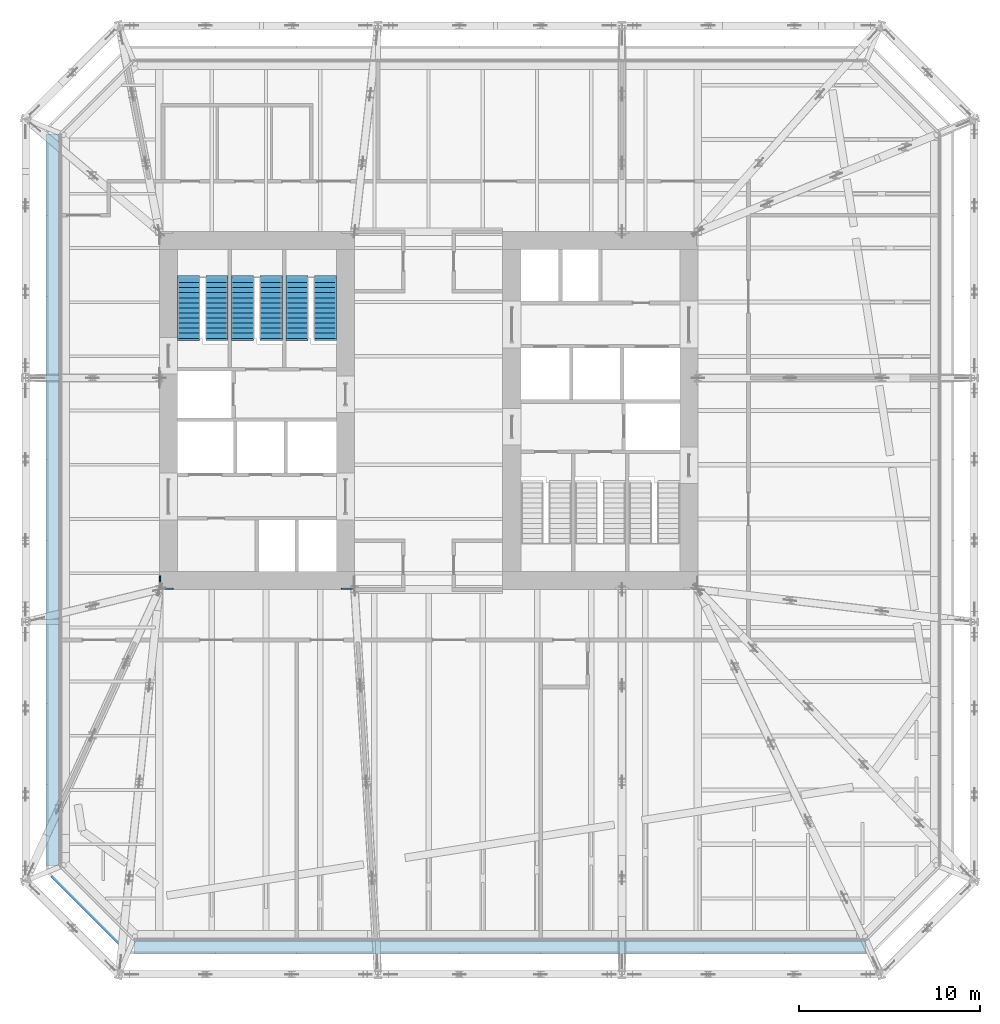
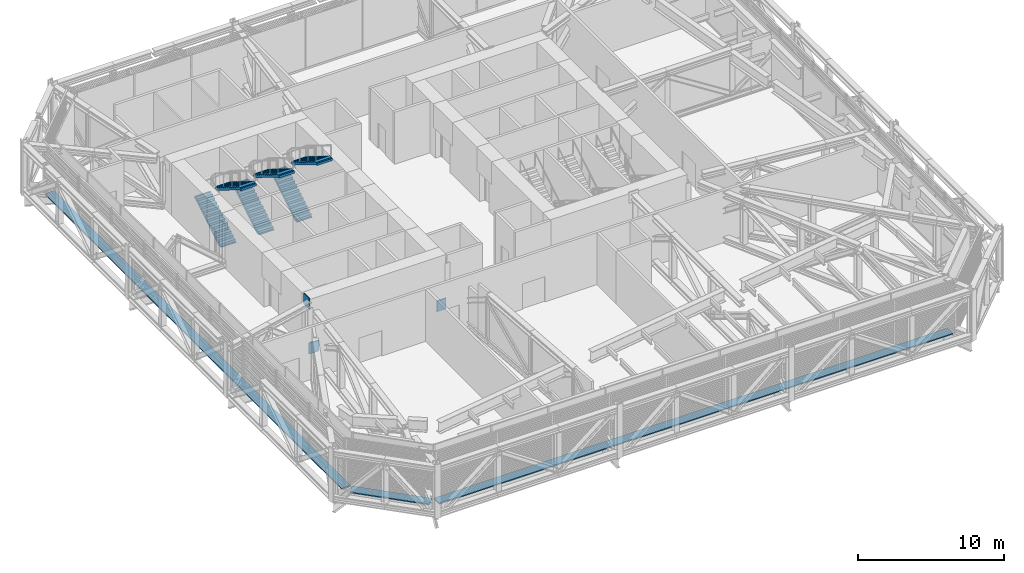
# One storey, part 24 of 31: 6 discrete accessories, 6 stair flights, 3 elements without a shape of their own.
"""IFC4 building model written with IfcOpenShell, lengths in metres."""

from ifc_helpers import new_model, si_unit, direction, frame, origin, origin_2d, place, context, subcontext, project, spatial, polyline, rectangle, outline, extrude, material, layer, layer_set, type_object, element, aggregate, save


model = new_model("IFC4")

# Units and contexts
model_context = context("Model", 3, precision=1e-05, world=origin(), true_north=direction((0.0, 1.0)))
body_context = subcontext(model_context, "Body", "Model", "MODEL_VIEW")
ifc_project = project(units=[si_unit("LENGTHUNIT", "METRE"), si_unit("AREAUNIT", "SQUARE_METRE"), si_unit("VOLUMEUNIT", "CUBIC_METRE"), si_unit("PLANEANGLEUNIT", "RADIAN"), si_unit("MASSUNIT", "GRAM", prefix="KILO")], contexts=[model_context])

# Site, building, storey
site_placement = place(None, origin())
site = spatial("IfcSite", under=ifc_project, at=site_placement, CompositionType="ELEMENT")
building_placement = place(site_placement, origin())
building = spatial("IfcBuilding", under=site, at=building_placement, Name="Millrace Tower", CompositionType="ELEMENT")
storey_placement = place(building_placement, frame((0.0, 0.0, 120.39990234375)))
storey = spatial("IfcBuildingStorey", under=building, at=storey_placement, Name="L26", CompositionType="ELEMENT", Elevation=120.39990234375)

# Stair, stair flights
ifc_material_1 = material(Name="Concrete C35", Category="concrete")
stair_type = type_object("IfcStairType", Name="Exit stair", PredefinedType="HALF_TURN_STAIR", material=ifc_material_1)
placement = place(storey_placement, origin())
stair_1 = element("IfcStair", 1, at=placement, inside=storey, type_object=stair_type, Name="Stair 1 W L26", PredefinedType="HALF_TURN_STAIR")
ifc_material_2 = material(Name="Concrete C35", Category="concrete")
stair_flight_type = type_object("IfcStairFlightType", Name="Exit stair flight", PredefinedType="STRAIGHT", material=ifc_material_2)
stair_flight_1_placement = place(storey_placement, frame((-13.2900390625, 4.0, 0.0), z_axis=(0.0, 0.0, 1.0), x_axis=(0.0, 1.0, 0.0)))
stair_flight_1 = element("IfcStairFlight", 2, at=stair_flight_1_placement, type_object=stair_flight_type, Name="ST12 flight 1", NumberOfRisers=13, NumberOfTreads=12, PredefinedType="STRAIGHT", RiserHeight=0.173076923, TreadLength=0.28, context=body_context, shape_type="SweptSolid", body=[
    extrude(outline(polyline([(-0.1201171875, -0.0400390625), (-0.1201171875, 0.0), (0.0, 0.0), (0.0, 0.173095703125), (0.280029296875, 0.173095703125), (0.280029296875, 0.34619140625), (0.56005859375, 0.34619140625), (0.56005859375, 0.519287109375), (0.840087890625, 0.519287109375), (0.840087890625, 0.6923828125), (1.1201171875, 0.6923828125), (1.1201171875, 0.865478515625), (1.39990234375, 0.865478515625), (1.39990234375, 1.03857421875), (1.679931640625, 1.03857421875), (1.679931640625, 1.21142578125), (1.9599609375, 1.21142578125), (1.9599609375, 1.384521484375), (2.239990234375, 1.384521484375), (2.239990234375, 1.5576171875), (2.52001953125, 1.5576171875), (2.52001953125, 1.730712890625), (2.800048828125, 1.730712890625), (2.800048828125, 1.90380859375), (3.080078125, 1.90380859375), (3.080078125, 2.076904296875), (3.360107421875, 2.076904296875), (3.360107421875, 2.096923828125), (3.47998046875, 2.096923828125), (3.47998046875, 1.900634765625), (3.360107421875, 1.900634765625), (0.28515625, 0.0), (0.28515625, -0.0400390625), (-0.1201171875, -0.0400390625)])), frame((0.0, 0.60986328125, 0.0), z_axis=(0.0, -1.0, 0.0), x_axis=(1.0, 0.0, 0.0)), (0.0, 0.0, 1.0), 1.219970703125),
])
stair_flight_2_placement = place(storey_placement, frame((-11.7099609375, 7.360107421875, 2.25), z_axis=(0.0, 0.0, 1.0), x_axis=(0.0, -1.0, 0.0)))
stair_flight_2 = element("IfcStairFlight", 3, at=stair_flight_2_placement, type_object=stair_flight_type, Name="ST12 flight 2", NumberOfRisers=13, NumberOfTreads=12, PredefinedType="STRAIGHT", RiserHeight=0.173076923, TreadLength=0.28, context=body_context, shape_type="SweptSolid", body=[
    extrude(outline(polyline([(-0.1201171875, -0.0400390625), (-0.1201171875, 0.0), (0.0, 0.0), (0.0, 0.173095703125), (0.280029296875, 0.173095703125), (0.280029296875, 0.34619140625), (0.56005859375, 0.34619140625), (0.56005859375, 0.519287109375), (0.840087890625, 0.519287109375), (0.840087890625, 0.6923828125), (1.1201171875, 0.6923828125), (1.1201171875, 0.865478515625), (1.39990234375, 0.865478515625), (1.39990234375, 1.03857421875), (1.679931640625, 1.03857421875), (1.679931640625, 1.21142578125), (1.9599609375, 1.21142578125), (1.9599609375, 1.384521484375), (2.239990234375, 1.384521484375), (2.239990234375, 1.5576171875), (2.52001953125, 1.5576171875), (2.52001953125, 1.730712890625), (2.800048828125, 1.730712890625), (2.800048828125, 1.90380859375), (3.080078125, 1.90380859375), (3.080078125, 2.076904296875), (3.360107421875, 2.076904296875), (3.360107421875, 2.096923828125), (3.47998046875, 2.096923828125), (3.47998046875, 1.900634765625), (3.360107421875, 1.900634765625), (0.28515625, 0.0), (0.28515625, -0.0400390625), (-0.1201171875, -0.0400390625)])), frame((0.0, 0.60986328125, 0.0), z_axis=(0.0, -1.0, 0.0), x_axis=(1.0, 0.0, 0.0)), (0.0, 0.0, 1.0), 1.219970703125),
])
aggregate(stair_1, [stair_flight_1, stair_flight_2])

stair_2 = element("IfcStair", 4, at=placement, inside=storey, type_object=stair_type, Name="Stair 2 W L26", PredefinedType="HALF_TURN_STAIR")
stair_flight_3_placement = place(storey_placement, frame((-10.2900390625, 4.0, 0.0), z_axis=(0.0, 0.0, 1.0), x_axis=(0.0, 1.0, 0.0)))
stair_flight_3 = element("IfcStairFlight", 5, at=stair_flight_3_placement, type_object=stair_flight_type, Name="ST12 flight 1", NumberOfRisers=13, NumberOfTreads=12, PredefinedType="STRAIGHT", RiserHeight=0.173076923, TreadLength=0.28, context=body_context, shape_type="SweptSolid", body=[
    extrude(outline(polyline([(-0.1201171875, -0.0400390625), (-0.1201171875, 0.0), (0.0, 0.0), (0.0, 0.173095703125), (0.280029296875, 0.173095703125), (0.280029296875, 0.34619140625), (0.56005859375, 0.34619140625), (0.56005859375, 0.519287109375), (0.840087890625, 0.519287109375), (0.840087890625, 0.6923828125), (1.1201171875, 0.6923828125), (1.1201171875, 0.865478515625), (1.39990234375, 0.865478515625), (1.39990234375, 1.03857421875), (1.679931640625, 1.03857421875), (1.679931640625, 1.21142578125), (1.9599609375, 1.21142578125), (1.9599609375, 1.384521484375), (2.239990234375, 1.384521484375), (2.239990234375, 1.5576171875), (2.52001953125, 1.5576171875), (2.52001953125, 1.730712890625), (2.800048828125, 1.730712890625), (2.800048828125, 1.90380859375), (3.080078125, 1.90380859375), (3.080078125, 2.076904296875), (3.360107421875, 2.076904296875), (3.360107421875, 2.096923828125), (3.47998046875, 2.096923828125), (3.47998046875, 1.900634765625), (3.360107421875, 1.900634765625), (0.28515625, 0.0), (0.28515625, -0.0400390625), (-0.1201171875, -0.0400390625)])), frame((0.0, 0.60986328125, 0.0), z_axis=(0.0, -1.0, 0.0), x_axis=(1.0, 0.0, 0.0)), (0.0, 0.0, 1.0), 1.219970703125),
])
stair_flight_4_placement = place(storey_placement, frame((-8.7099609375, 7.360107421875, 2.25), z_axis=(0.0, 0.0, 1.0), x_axis=(0.0, -1.0, 0.0)))
stair_flight_4 = element("IfcStairFlight", 6, at=stair_flight_4_placement, type_object=stair_flight_type, Name="ST12 flight 2", NumberOfRisers=13, NumberOfTreads=12, PredefinedType="STRAIGHT", RiserHeight=0.173076923, TreadLength=0.28, context=body_context, shape_type="SweptSolid", body=[
    extrude(outline(polyline([(-0.1201171875, -0.0400390625), (-0.1201171875, 0.0), (0.0, 0.0), (0.0, 0.173095703125), (0.280029296875, 0.173095703125), (0.280029296875, 0.34619140625), (0.56005859375, 0.34619140625), (0.56005859375, 0.519287109375), (0.840087890625, 0.519287109375), (0.840087890625, 0.6923828125), (1.1201171875, 0.6923828125), (1.1201171875, 0.865478515625), (1.39990234375, 0.865478515625), (1.39990234375, 1.03857421875), (1.679931640625, 1.03857421875), (1.679931640625, 1.21142578125), (1.9599609375, 1.21142578125), (1.9599609375, 1.384521484375), (2.239990234375, 1.384521484375), (2.239990234375, 1.5576171875), (2.52001953125, 1.5576171875), (2.52001953125, 1.730712890625), (2.800048828125, 1.730712890625), (2.800048828125, 1.90380859375), (3.080078125, 1.90380859375), (3.080078125, 2.076904296875), (3.360107421875, 2.076904296875), (3.360107421875, 2.096923828125), (3.47998046875, 2.096923828125), (3.47998046875, 1.900634765625), (3.360107421875, 1.900634765625), (0.28515625, 0.0), (0.28515625, -0.0400390625), (-0.1201171875, -0.0400390625)])), frame((0.0, 0.60986328125, 0.0), z_axis=(0.0, -1.0, 0.0), x_axis=(1.0, 0.0, 0.0)), (0.0, 0.0, 1.0), 1.219970703125),
])
aggregate(stair_2, [stair_flight_3, stair_flight_4])

stair_3 = element("IfcStair", 7, at=placement, inside=storey, type_object=stair_type, Name="Stair 3 W L26", PredefinedType="HALF_TURN_STAIR")
stair_flight_5_placement = place(storey_placement, frame((-7.2900390625, 4.0, 0.0), z_axis=(0.0, 0.0, 1.0), x_axis=(0.0, 1.0, 0.0)))
stair_flight_5 = element("IfcStairFlight", 8, at=stair_flight_5_placement, type_object=stair_flight_type, Name="ST12 flight 1", NumberOfRisers=13, NumberOfTreads=12, PredefinedType="STRAIGHT", RiserHeight=0.173076923, TreadLength=0.28, context=body_context, shape_type="SweptSolid", body=[
    extrude(outline(polyline([(-0.1201171875, -0.0400390625), (-0.1201171875, 0.0), (0.0, 0.0), (0.0, 0.173095703125), (0.280029296875, 0.173095703125), (0.280029296875, 0.34619140625), (0.56005859375, 0.34619140625), (0.56005859375, 0.519287109375), (0.840087890625, 0.519287109375), (0.840087890625, 0.6923828125), (1.1201171875, 0.6923828125), (1.1201171875, 0.865478515625), (1.39990234375, 0.865478515625), (1.39990234375, 1.03857421875), (1.679931640625, 1.03857421875), (1.679931640625, 1.21142578125), (1.9599609375, 1.21142578125), (1.9599609375, 1.384521484375), (2.239990234375, 1.384521484375), (2.239990234375, 1.5576171875), (2.52001953125, 1.5576171875), (2.52001953125, 1.730712890625), (2.800048828125, 1.730712890625), (2.800048828125, 1.90380859375), (3.080078125, 1.90380859375), (3.080078125, 2.076904296875), (3.360107421875, 2.076904296875), (3.360107421875, 2.096923828125), (3.47998046875, 2.096923828125), (3.47998046875, 1.900634765625), (3.360107421875, 1.900634765625), (0.28515625, 0.0), (0.28515625, -0.0400390625), (-0.1201171875, -0.0400390625)])), frame((0.0, 0.60986328125, 0.0), z_axis=(0.0, -1.0, 0.0), x_axis=(1.0, 0.0, 0.0)), (0.0, 0.0, 1.0), 1.219970703125),
])
stair_flight_6_placement = place(storey_placement, frame((-5.7099609375, 7.360107421875, 2.25), z_axis=(0.0, 0.0, 1.0), x_axis=(0.0, -1.0, 0.0)))
stair_flight_6 = element("IfcStairFlight", 9, at=stair_flight_6_placement, type_object=stair_flight_type, Name="ST12 flight 2", NumberOfRisers=13, NumberOfTreads=12, PredefinedType="STRAIGHT", RiserHeight=0.173076923, TreadLength=0.28, context=body_context, shape_type="SweptSolid", body=[
    extrude(outline(polyline([(-0.1201171875, -0.0400390625), (-0.1201171875, 0.0), (0.0, 0.0), (0.0, 0.173095703125), (0.280029296875, 0.173095703125), (0.280029296875, 0.34619140625), (0.56005859375, 0.34619140625), (0.56005859375, 0.519287109375), (0.840087890625, 0.519287109375), (0.840087890625, 0.6923828125), (1.1201171875, 0.6923828125), (1.1201171875, 0.865478515625), (1.39990234375, 0.865478515625), (1.39990234375, 1.03857421875), (1.679931640625, 1.03857421875), (1.679931640625, 1.21142578125), (1.9599609375, 1.21142578125), (1.9599609375, 1.384521484375), (2.239990234375, 1.384521484375), (2.239990234375, 1.5576171875), (2.52001953125, 1.5576171875), (2.52001953125, 1.730712890625), (2.800048828125, 1.730712890625), (2.800048828125, 1.90380859375), (3.080078125, 1.90380859375), (3.080078125, 2.076904296875), (3.360107421875, 2.076904296875), (3.360107421875, 2.096923828125), (3.47998046875, 2.096923828125), (3.47998046875, 1.900634765625), (3.360107421875, 1.900634765625), (0.28515625, 0.0), (0.28515625, -0.0400390625), (-0.1201171875, -0.0400390625)])), frame((0.0, 0.60986328125, 0.0), z_axis=(0.0, -1.0, 0.0), x_axis=(1.0, 0.0, 0.0)), (0.0, 0.0, 1.0), 1.219970703125),
])
aggregate(stair_3, [stair_flight_5, stair_flight_6])

# Discrete accessories
ifc_material_3 = material(Name="Steel ASTM A572 Grade 50", Category="steel")
ifc_layer_1 = layer(ifc_material_3, 0.074951171875)
ifc_layer_set_1 = layer_set([ifc_layer_1], Name="Steel ASTM A572 Grade 50")
discrete_accessory_type_1 = type_object("IfcDiscreteAccessoryType", Name="Cast-in anchor plate 735x900x75", PredefinedType="ANCHORPLATE", material=ifc_layer_set_1)
discrete_accessory_1_placement = place(storey_placement, frame((-4.467529296875, -9.824951171875, 0.2490234375), z_axis=(0.0, -1.0, 0.0), x_axis=(1.0, 0.0, 0.0)))
element("IfcDiscreteAccessory", 10, at=discrete_accessory_1_placement, inside=storey, type_object=discrete_accessory_type_1, Name="Cast-in anchor plate BLT-L26-O03-B01", PredefinedType="ANCHORPLATE", context=body_context, shape_type="SweptSolid", body=[
    extrude(rectangle(XDim=0.735107421875, YDim=0.89990234375, at=origin_2d()), origin(), (0.0, 0.0, 1.0), 0.074951171875),
])
ifc_material_4 = material(Name="Steel ASTM A572 Grade 50", Category="steel")
ifc_layer_2 = layer(ifc_material_4, 0.074951171875)
ifc_layer_set_2 = layer_set([ifc_layer_2], Name="Steel ASTM A572 Grade 50")
discrete_accessory_type_2 = type_object("IfcDiscreteAccessoryType", Name="Cast-in anchor plate 745x900x75", PredefinedType="ANCHORPLATE", material=ifc_layer_set_2)
discrete_accessory_2_placement = place(storey_placement, frame((-14.824951171875, -9.527587890625, 3.9912109375), z_axis=(-1.0, 0.0, 0.0), x_axis=(0.0, -1.0, 0.0)))
element("IfcDiscreteAccessory", 11, at=discrete_accessory_2_placement, inside=storey, type_object=discrete_accessory_type_2, Name="Cast-in anchor plate BLT-L26-O16-T01", PredefinedType="ANCHORPLATE", context=body_context, shape_type="SweptSolid", body=[
    extrude(rectangle(XDim=0.7451171875, YDim=0.89990234375, at=origin_2d()), origin(), (0.0, 0.0, 1.0), 0.074951171875),
])
ifc_material_5 = material(Name="Steel ASTM A572 Grade 50", Category="steel")
ifc_layer_3 = layer(ifc_material_5, 0.074951171875)
ifc_layer_set_3 = layer_set([ifc_layer_3], Name="Steel ASTM A572 Grade 50")
discrete_accessory_type_3 = type_object("IfcDiscreteAccessoryType", Name="Cast-in anchor plate 780x900x75", PredefinedType="ANCHORPLATE", material=ifc_layer_set_3)
discrete_accessory_3_placement = place(storey_placement, frame((-14.510009765625, -9.824951171875, 0.2490234375), z_axis=(0.0, -1.0, 0.0), x_axis=(1.0, 0.0, 0.0)))
element("IfcDiscreteAccessory", 12, at=discrete_accessory_3_placement, inside=storey, type_object=discrete_accessory_type_3, Name="Cast-in anchor plate BLT-L26-O01-B01", PredefinedType="ANCHORPLATE", context=body_context, shape_type="SweptSolid", body=[
    extrude(rectangle(XDim=0.780029296875, YDim=0.89990234375, at=origin_2d()), origin(), (0.0, 0.0, 1.0), 0.074951171875),
])
ifc_material_6 = material(Name="Stainless steel ASTM A240 type 316", Category="steel")
discrete_accessory_type_4 = type_object("IfcDiscreteAccessoryType", Name="Thermally broken screen support rail", PredefinedType="BRACKET", material=ifc_material_6)
discrete_accessory_4_placement = place(storey_placement, frame((-18.66064453125, -27.560546875, 0.0), z_axis=(0.0, 0.0, 1.0), x_axis=(0.707106781187, -0.707106781187, 0.0)))
element("IfcDiscreteAccessory", 13, at=discrete_accessory_4_placement, inside=storey, type_object=discrete_accessory_type_4, Name="Thermally broken screen support rail B-F01 L26 1", PredefinedType="BRACKET", context=body_context, shape_type="SweptSolid", body=[
    extrude(rectangle(XDim=5.65673828125, YDim=0.719970703125, at=origin_2d()), origin(), (0.0, 0.0, 1.0), 0.10009765625),
])
for number, where, z_axis, x_axis, name in (
    (14, (3.949951171875, -29.7099609375, 0.0), (0.0, 0.0, 1.0), (1.0, 0.0, 0.0), "Thermally broken screen support rail B-F02 L26 1"),
    (15, (-20.81005859375, -4.949951171875, 0.0), (0.0, 0.0, 1.0), (0.0, -1.0, 0.0), "Thermally broken screen support rail B-F08 L26 1"),
):
    element("IfcDiscreteAccessory", number, at=place(storey_placement, frame(where, z_axis=z_axis, x_axis=x_axis)), inside=storey, type_object=discrete_accessory_type_4, Name=name, PredefinedType="BRACKET", context=body_context, shape_type="SweptSolid", body=[
        extrude(rectangle(XDim=40.5, YDim=0.719970703125, at=origin_2d()), origin(), (0.0, 0.0, 1.0), 0.10009765625),
    ])

save(model, "model.ifc")
